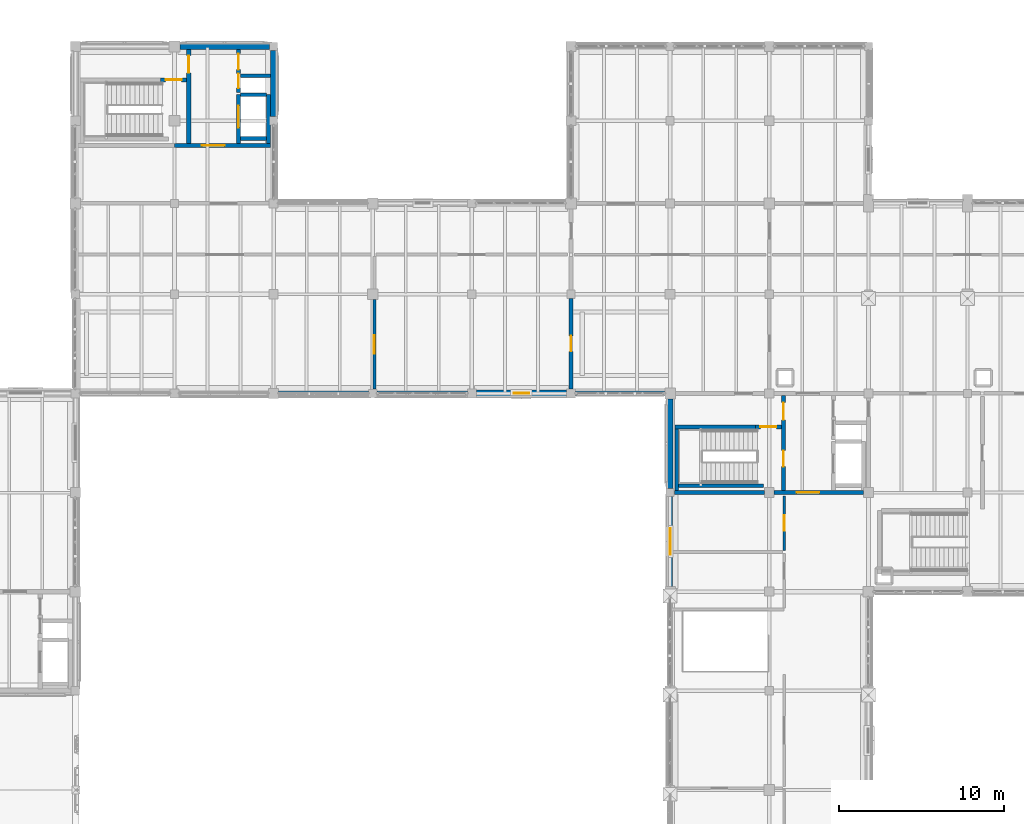
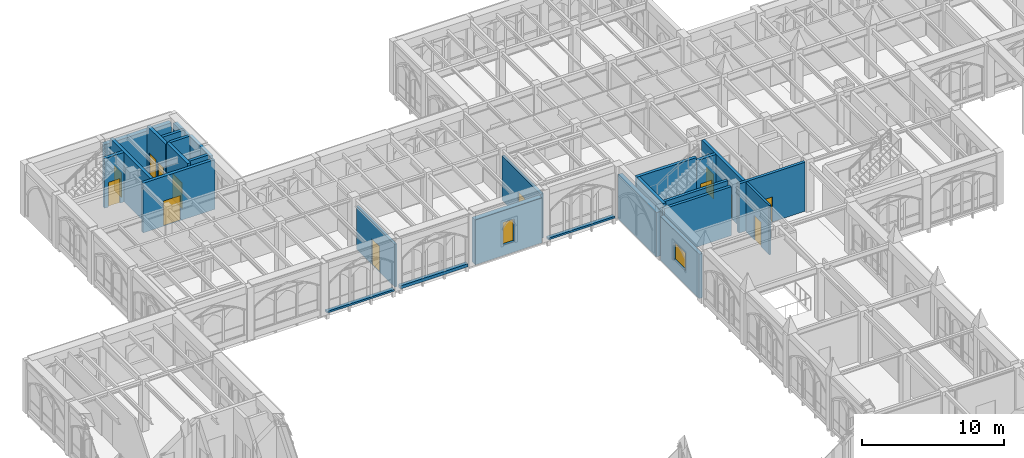
# One storey, part 104 of 143: 27 walls, 13 doors, 2 windows, 15 openings.
"""IFC4 building model written with IfcOpenShell, lengths in metres."""

from ifc_helpers import new_model, si_unit, direction, frame, frame_2d, origin, place, context, subcontext, project, spatial, rectangle, extrude, material, layer, layer_set, type_object, element, fill, save


model = new_model("IFC4")

# Units and contexts
model_context = context("Model", 3, precision=1e-05, world=origin(), true_north=direction((0.0, 1.0)))
body_context = subcontext(model_context, "Body", "Model", "MODEL_VIEW")
ifc_project = project(units=[si_unit("LENGTHUNIT", "METRE"), si_unit("AREAUNIT", "SQUARE_METRE"), si_unit("VOLUMEUNIT", "CUBIC_METRE"), si_unit("PLANEANGLEUNIT", "RADIAN"), si_unit("MASSUNIT", "GRAM", prefix="KILO")], contexts=[model_context])

# Site, building, storey
site_placement = place(None, origin())
site = spatial("IfcSite", under=ifc_project, at=site_placement, CompositionType="ELEMENT")
building_placement = place(site_placement, origin())
building = spatial("IfcBuilding", under=site, at=building_placement, Name="Cumevento Cable Car Station", CompositionType="ELEMENT")
storey_placement = place(building_placement, frame((0.0, 0.0, 9.0)))
storey = spatial("IfcBuildingStorey", under=building, at=storey_placement, Name="L03", CompositionType="ELEMENT", Elevation=9.0)

# Wall, opening, window
ifc_material_1 = material(Name="Gnaisse Facoidal Stone Ashlar 85 MPa", Category="masonry")
ifc_layer_1 = layer(ifc_material_1, 0.280029296875)
ifc_layer_set_1 = layer_set([ifc_layer_1], Name="Gnaisse Facoidal Stone Ashlar 85 MPa")
wall_type_1 = type_object("IfcWallType", Name="Exterior Envelope Wall EW-280 280", PredefinedType="SOLIDWALL", material=ifc_layer_set_1)
wall_1_placement = place(storey_placement, frame((58.0, 33.324951171875, 0.0), z_axis=(0.0, 0.0, 1.0), x_axis=(0.0, 1.0, 0.0)))
wall_1 = element("IfcWall", 1, at=wall_1_placement, inside=storey, type_object=wall_type_1, Name="Exterior Wall EW-280 L03 #209", PredefinedType="SOLIDWALL", context=body_context, shape_type="SweptSolid", body=[
    extrude(rectangle(XDim=5.425048828125, YDim=0.280029296875, at=frame_2d((2.71240234375, 0.0))), origin(), (0.0, 0.0, 1.0), 3.80908203125),
])
opening_1_placement = place(wall_1_placement, frame((1.91259765625, 0.0, 1.25)))
opening_1 = element("IfcOpeningElement", 2, at=opening_1_placement, cuts=wall_1, Name="Opening WN-L03-069", PredefinedType="OPENING", context=body_context, shape_type="SweptSolid", body=[
    extrude(rectangle(XDim=1.60009765625, YDim=1.5, at=frame_2d((0.800048828125, 0.75))), frame((0.0, 0.150146484375, 0.0), z_axis=(0.0, -1.0, 0.0), x_axis=(1.0, 0.0, 0.0)), (0.0, 0.0, 1.0), 0.300048828125),
])
ifc_material_2 = material(Name="Anodised Bronze Aluminium & Laminated Solar Glass", Category="aluminium")
window_type_1 = type_object("IfcWindowType", Name="Lancet Window WN-21 1600x1500", PartitioningType="DOUBLE_PANEL_VERTICAL", PredefinedType="WINDOW", material=ifc_material_2)
window_1_placement = place(opening_1_placement, origin())
window_1 = element("IfcWindow", 3, at=window_1_placement, inside=storey, type_object=window_type_1, Name="Lancet Window WN-L03-069 (WN-21)", OverallHeight=1.5, OverallWidth=1.60009765625, PartitioningType="SINGLE_PANEL", PredefinedType="WINDOW", context=body_context, shape_type="SweptSolid", body=[
    extrude(rectangle(XDim=1.60009765625, YDim=1.5, at=frame_2d((0.800048828125, 0.75))), frame((0.0, 0.030029296875, 0.0), z_axis=(0.0, -1.0, 0.0), x_axis=(1.0, 0.0, 0.0)), (0.0, 0.0, 1.0), 0.06005859375),
])
fill(opening_1, window_1)

# Walls
ifc_material_3 = material(Name="Gnaisse Facoidal Stone Ashlar 85 MPa", Category="masonry")
ifc_layer_2 = layer(ifc_material_3, 0.294921875)
ifc_layer_set_2 = layer_set([ifc_layer_2], Name="Gnaisse Facoidal Stone Ashlar 85 MPa")
wall_type_2 = type_object("IfcWallType", Name="Exterior Envelope Wall EW-295 295", PredefinedType="SOLIDWALL", material=ifc_layer_set_2)
wall_2_placement = place(storey_placement, frame((39.75, 45.0, 0.0), z_axis=(0.0, 0.0, 1.0), x_axis=(-1.0, 0.0, 0.0)))
element("IfcWall", 4, at=wall_2_placement, inside=storey, type_object=wall_type_2, Name="Exterior Sill Curb Wall EW-295 L03 #227", PredefinedType="SOLIDWALL", context=body_context, shape_type="SweptSolid", body=[
    extrude(rectangle(XDim=5.449951171875, YDim=0.294921875, at=frame_2d((2.72509765625, 0.0))), origin(), (0.0, 0.0, 1.0), 0.159912109375),
])
wall_3_placement = place(storey_placement, frame((45.72509765625, 45.0, 0.0), z_axis=(0.0, 0.0, 1.0), x_axis=(-1.0, 0.0, 0.0)))
element("IfcWall", 5, at=wall_3_placement, inside=storey, type_object=wall_type_2, Name="Exterior Sill Curb Wall EW-295 L03 #229", PredefinedType="SOLIDWALL", context=body_context, shape_type="SweptSolid", body=[
    extrude(rectangle(XDim=5.47509765625, YDim=0.294921875, at=frame_2d((2.737548828125, 0.0))), origin(), (0.0, 0.0, 1.0), 0.260009765625),
])
wall_4_placement = place(storey_placement, frame((57.675048828125, 45.0, 0.0), z_axis=(0.0, 0.0, 1.0), x_axis=(-1.0, 0.0, 0.0)))
element("IfcWall", 6, at=wall_4_placement, inside=storey, type_object=wall_type_2, Name="Exterior Sill Curb Wall EW-295 L03 #241", PredefinedType="SOLIDWALL", context=body_context, shape_type="SweptSolid", body=[
    extrude(rectangle(XDim=5.400146484375, YDim=0.294921875, at=frame_2d((2.7001953125, 0.0))), origin(), (0.0, 0.0, 1.0), 0.159912109375),
])
ifc_material_4 = material(Name="Concrete C40/50", Category="concrete")
ifc_layer_3 = layer(ifc_material_4, 0.35498046875)
ifc_layer_set_3 = layer_set([ifc_layer_3], Name="Concrete C40/50")
wall_type_3 = type_object("IfcWallType", Name="Exterior Envelope Wall EW-355 355", PredefinedType="SOLIDWALL", material=ifc_layer_set_3)
wall_5_placement = place(storey_placement, frame((58.0, 39.25, 0.0), z_axis=(0.0, 0.0, 1.0), x_axis=(0.0, 1.0, 0.0)))
element("IfcWall", 7, at=wall_5_placement, inside=storey, type_object=wall_type_3, Name="Exterior Wall EW-355 L03 #210", PredefinedType="SOLIDWALL", context=body_context, shape_type="SweptSolid", body=[
    extrude(rectangle(XDim=5.425048828125, YDim=0.35498046875, at=frame_2d((2.71240234375, 0.0))), origin(), (0.0, 0.0, 1.0), 3.80908203125),
])
wall_6_placement = place(storey_placement, frame((28.324951171875, 66.0, 0.0), z_axis=(0.0, 0.0, 1.0), x_axis=(1.0, 0.0, 0.0)))
element("IfcWall", 8, at=wall_6_placement, inside=storey, type_object=wall_type_3, Name="Exterior Wall EW-355 L03 #236", PredefinedType="SOLIDWALL", context=body_context, shape_type="SweptSolid", body=[
    extrude(rectangle(XDim=5.425048828125, YDim=0.35498046875, at=frame_2d((2.71240234375, 0.0))), origin(), (0.0, 0.0, 1.0), 3.85693359375),
])
wall_7_placement = place(storey_placement, frame((34.0, 65.75, 0.0), z_axis=(0.0, 0.0, 1.0), x_axis=(0.0, -1.0, 0.0)))
element("IfcWall", 9, at=wall_7_placement, inside=storey, type_object=wall_type_3, Name="Exterior Wall EW-355 L03 #240", PredefinedType="SOLIDWALL", context=body_context, shape_type="SweptSolid", body=[
    extrude(rectangle(XDim=4.0, YDim=0.35498046875, at=frame_2d((2.0, 0.0))), origin(), (0.0, 0.0, 1.0), 3.85693359375),
])

# Wall, opening, window
ifc_material_5 = material(Name="Gnaisse Facoidal Stone Ashlar 85 MPa", Category="masonry")
ifc_layer_4 = layer(ifc_material_5, 0.4150390625)
ifc_layer_set_4 = layer_set([ifc_layer_4], Name="Gnaisse Facoidal Stone Ashlar 85 MPa")
wall_type_4 = type_object("IfcWallType", Name="Exterior Envelope Wall EW-415 415", PredefinedType="SOLIDWALL", material=ifc_layer_set_4)
wall_8_placement = place(storey_placement, frame((51.72509765625, 45.0, 0.0), z_axis=(0.0, 0.0, 1.0), x_axis=(-1.0, 0.0, 0.0)))
wall_8 = element("IfcWall", 10, at=wall_8_placement, inside=storey, type_object=wall_type_4, Name="Exterior Wall EW-415 L03 #231", PredefinedType="SOLIDWALL", context=body_context, shape_type="SweptSolid", body=[
    extrude(rectangle(XDim=5.4501953125, YDim=0.4150390625, at=frame_2d((2.72509765625, 0.0))), origin(), (0.0, 0.0, 1.0), 3.868896484375),
])
opening_2_placement = place(wall_8_placement, frame((2.25, 0.0, 0.89990234375)))
opening_2 = element("IfcOpeningElement", 11, at=opening_2_placement, cuts=wall_8, Name="Opening WN-L03-074", PredefinedType="OPENING", context=body_context, shape_type="SweptSolid", body=[
    extrude(rectangle(XDim=0.949951171875, YDim=1.949951171875, at=frame_2d((0.47509765625, 0.97509765625))), frame((0.0, 0.217529296875, 0.0), z_axis=(0.0, -1.0, 0.0), x_axis=(1.0, 0.0, 0.0)), (0.0, 0.0, 1.0), 0.43505859375),
])
ifc_material_6 = material(Name="Anodised Bronze Aluminium & Laminated Solar Glass", Category="aluminium")
window_type_2 = type_object("IfcWindowType", Name="Lancet Window WN-02 950x1950", PartitioningType="SINGLE_PANEL", PredefinedType="WINDOW", material=ifc_material_6)
window_2_placement = place(opening_2_placement, origin())
window_2 = element("IfcWindow", 12, at=window_2_placement, inside=storey, type_object=window_type_2, Name="Lancet Window WN-L03-074 (WN-02)", OverallHeight=1.949951171875, OverallWidth=0.949951171875, PartitioningType="SINGLE_PANEL", PredefinedType="WINDOW", context=body_context, shape_type="SweptSolid", body=[
    extrude(rectangle(XDim=0.949951171875, YDim=1.949951171875, at=frame_2d((0.47509765625, 0.97509765625))), frame((0.0, 0.030029296875, 0.0), z_axis=(0.0, -1.0, 0.0), x_axis=(1.0, 0.0, 0.0)), (0.0, 0.0, 1.0), 0.06005859375),
])
fill(opening_2, window_2)

# Wall, opening, door
ifc_material_7 = material(Name="Concrete C40/50", Category="concrete")
ifc_layer_5 = layer(ifc_material_7, 0.219970703125)
ifc_layer_set_5 = layer_set([ifc_layer_5], Name="Concrete C40/50")
wall_type_5 = type_object("IfcWallType", Name="Interior Partition FW-220 220", PredefinedType="SOLIDWALL", material=ifc_layer_set_5)
wall_9_placement = place(storey_placement, frame((52.0, 45.277099609375, 0.0), z_axis=(0.0, 0.0, 1.0), x_axis=(0.0, 1.0, 0.0)))
wall_9 = element("IfcWall", 13, at=wall_9_placement, inside=storey, type_object=wall_type_5, Name="Interior Wall FW-220 L03 #654", PredefinedType="SOLIDWALL", context=body_context, shape_type="SweptSolid", body=[
    extrude(rectangle(XDim=5.470947265625, YDim=0.219970703125, at=frame_2d((2.7353515625, 0.0))), origin(), (0.0, 0.0, 1.0), 3.819091796875),
])
opening_3_placement = place(wall_9_placement, frame((2.265380859375, 0.0, 0.0)))
opening_3 = element("IfcOpeningElement", 14, at=opening_3_placement, cuts=wall_9, Name="Opening DR-L03-250", PredefinedType="OPENING", context=body_context, shape_type="SweptSolid", body=[
    extrude(rectangle(XDim=0.93994140625, YDim=2.10009765625, at=frame_2d((0.469970703125, 1.050048828125))), frame((0.0, 0.119873046875, 0.0), z_axis=(0.0, -1.0, 0.0), x_axis=(1.0, 0.0, 0.0)), (0.0, 0.0, 1.0), 0.239990234375),
])
ifc_material_8 = material(Name="Galvanised Painted Steel Fire Door", Category="steel")
door_type_1 = type_object("IfcDoorType", Name="Interior Door FD-08 940x2100", OperationType="NOTDEFINED", PredefinedType="DOOR", material=ifc_material_8)
door_1_placement = place(opening_3_placement, origin())
door_1 = element("IfcDoor", 15, at=door_1_placement, inside=storey, type_object=door_type_1, Name="Interior Door DR-L03-250 (FD-08)", OperationType="SINGLE_SWING_LEFT", OverallHeight=2.10009765625, OverallWidth=0.93994140625, PredefinedType="DOOR", context=body_context, shape_type="SweptSolid", body=[
    extrude(rectangle(XDim=0.93994140625, YDim=2.10009765625, at=frame_2d((0.469970703125, 1.050048828125))), frame((0.0, 0.02490234375, 0.0), z_axis=(0.0, -1.0, 0.0), x_axis=(1.0, 0.0, 0.0)), (0.0, 0.0, 1.0), 0.050048828125),
])
fill(opening_3, door_1)

ifc_material_9 = material(Name="Gypsum Board & Insulated Stud Partition", Category="gypsum")
ifc_layer_6 = layer(ifc_material_9, 0.1650390625)
ifc_layer_set_6 = layer_set([ifc_layer_6], Name="Gypsum Board & Insulated Stud Partition")
wall_type_6 = type_object("IfcWallType", Name="Interior Partition PT-165 165", PredefinedType="PARTITIONING", material=ifc_layer_set_6)
wall_10_placement = place(storey_placement, frame((64.89990234375, 35.5, 0.0), z_axis=(0.0, 0.0, 1.0), x_axis=(0.0, 1.0, 0.0)))
wall_10 = element("IfcWall", 16, at=wall_10_placement, inside=storey, type_object=wall_type_6, Name="Interior Wall PT-165 L03 #641", PredefinedType="PARTITIONING", context=body_context, shape_type="SweptSolid", body=[
    extrude(rectangle(XDim=3.300048828125, YDim=0.1650390625, at=frame_2d((1.64990234375, 0.0))), origin(), (0.0, 0.0, 1.0), 4.239990234375),
])
opening_4_placement = place(wall_10_placement, frame((1.179931640625, 0.0, 0.0)))
opening_4 = element("IfcOpeningElement", 17, at=opening_4_placement, cuts=wall_10, Name="Opening DR-L03-241", PredefinedType="OPENING", context=body_context, shape_type="SweptSolid", body=[
    extrude(rectangle(XDim=0.93994140625, YDim=2.10009765625, at=frame_2d((0.469970703125, 1.050048828125))), frame((0.0, 0.092529296875, 0.0), z_axis=(0.0, -1.0, 0.0), x_axis=(1.0, 0.0, 0.0)), (0.0, 0.0, 1.0), 0.18505859375),
])
door_2_placement = place(opening_4_placement, origin())
door_2 = element("IfcDoor", 18, at=door_2_placement, inside=storey, type_object=door_type_1, Name="Interior Door DR-L03-241 (FD-08)", OperationType="SINGLE_SWING_LEFT", OverallHeight=2.10009765625, OverallWidth=0.93994140625, PredefinedType="DOOR", context=body_context, shape_type="SweptSolid", body=[
    extrude(rectangle(XDim=0.93994140625, YDim=2.10009765625, at=frame_2d((0.469970703125, 1.050048828125))), frame((0.0, 0.02490234375, 0.0), z_axis=(0.0, -1.0, 0.0), x_axis=(1.0, 0.0, 0.0)), (0.0, 0.0, 1.0), 0.050048828125),
])
fill(opening_4, door_2)

ifc_material_10 = material(Name="Moisture-Resistant Tile & Stud Partition", Category="gypsum")
ifc_layer_7 = layer(ifc_material_10, 0.175048828125)
ifc_layer_set_7 = layer_set([ifc_layer_7], Name="Moisture-Resistant Tile & Stud Partition")
wall_type_7 = type_object("IfcWallType", Name="Interior Partition PT-175 175", PredefinedType="PARTITIONING", material=ifc_layer_set_7)
wall_11_placement = place(storey_placement, frame((40.10009765625, 45.251953125, 0.0), z_axis=(0.0, 0.0, 1.0), x_axis=(0.0, 1.0, 0.0)))
wall_11 = element("IfcWall", 19, at=wall_11_placement, inside=storey, type_object=wall_type_7, Name="Interior Wall PT-175 L03 #650", PredefinedType="PARTITIONING", context=body_context, shape_type="SweptSolid", body=[
    extrude(rectangle(XDim=5.421142578125, YDim=0.175048828125, at=frame_2d((2.71044921875, 0.0))), origin(), (0.0, 0.0, 1.0), 3.69189453125),
])
opening_5_placement = place(wall_11_placement, frame((2.160400390625, 0.0, 0.0)))
opening_5 = element("IfcOpeningElement", 20, at=opening_5_placement, cuts=wall_11, Name="Opening DR-L03-247", PredefinedType="OPENING", context=body_context, shape_type="SweptSolid", body=[
    extrude(rectangle(XDim=1.10009765625, YDim=2.199951171875, at=frame_2d((0.550048828125, 1.10009765625))), frame((0.0, 0.097412109375, 0.0), z_axis=(0.0, -1.0, 0.0), x_axis=(1.0, 0.0, 0.0)), (0.0, 0.0, 1.0), 0.195068359375),
])
ifc_material_11 = material(Name="Hardwood Ipe Timber Door Leaf", Category="wood")
door_type_2 = type_object("IfcDoorType", Name="Interior Door ID-07 1100x2200", OperationType="NOTDEFINED", PredefinedType="DOOR", material=ifc_material_11)
door_3_placement = place(opening_5_placement, origin())
door_3 = element("IfcDoor", 21, at=door_3_placement, inside=storey, type_object=door_type_2, Name="Interior Door DR-L03-247 (ID-07)", OperationType="SINGLE_SWING_RIGHT", OverallHeight=2.199951171875, OverallWidth=1.10009765625, PredefinedType="DOOR", context=body_context, shape_type="SweptSolid", body=[
    extrude(rectangle(XDim=1.10009765625, YDim=2.199951171875, at=frame_2d((0.550048828125, 1.10009765625))), frame((0.0, 0.02490234375, 0.0), z_axis=(0.0, -1.0, 0.0), x_axis=(1.0, 0.0, 0.0)), (0.0, 0.0, 1.0), 0.050048828125),
])
fill(opening_5, door_3)

# Wall
ifc_material_12 = material(Name="Concrete C40/50", Category="concrete")
ifc_layer_8 = layer(ifc_material_12, 0.22998046875)
ifc_layer_set_8 = layer_set([ifc_layer_8], Name="Concrete C40/50")
wall_type_8 = type_object("IfcWallType", Name="Interior Shear Wall CW-230 230", PredefinedType="SHEAR", material=ifc_layer_set_8)
wall_12_placement = place(storey_placement, frame((58.25, 39.0, 0.0), z_axis=(0.0, 0.0, 1.0), x_axis=(1.0, 0.0, 0.0)))
element("IfcWall", 22, at=wall_12_placement, inside=storey, type_object=wall_type_8, Name="Interior Wall CW-230 L03 #169", PredefinedType="SHEAR", context=body_context, shape_type="SweptSolid", body=[
    extrude(rectangle(XDim=5.449951171875, YDim=0.22998046875, at=frame_2d((2.72509765625, 0.0))), origin(), (0.0, 0.0, 1.0), 4.216064453125),
])

# Wall, opening, door
wall_13_placement = place(storey_placement, frame((64.300048828125, 39.0, 0.0), z_axis=(0.0, 0.0, 1.0), x_axis=(1.0, 0.0, 0.0)))
wall_13 = element("IfcWall", 23, at=wall_13_placement, inside=storey, type_object=wall_type_8, Name="Interior Wall CW-230 L03 #170", PredefinedType="SHEAR", context=body_context, shape_type="SweptSolid", body=[
    extrude(rectangle(XDim=5.39990234375, YDim=0.22998046875, at=frame_2d((2.699951171875, 0.0))), origin(), (0.0, 0.0, 1.0), 4.216064453125),
])
opening_6_placement = place(wall_13_placement, frame((1.360107421875, 0.0, 0.0)))
opening_6 = element("IfcOpeningElement", 24, at=opening_6_placement, cuts=wall_13, Name="Opening DR-L03-017", PredefinedType="OPENING", context=body_context, shape_type="SweptSolid", body=[
    extrude(rectangle(XDim=1.3798828125, YDim=2.159912109375, at=frame_2d((0.68994140625, 1.080078125))), frame((0.0, 0.125, 0.0), z_axis=(0.0, -1.0, 0.0), x_axis=(1.0, 0.0, 0.0)), (0.0, 0.0, 1.0), 0.25),
])
ifc_material_13 = material(Name="Galvanised Painted Steel Fire Door", Category="steel")
door_type_3 = type_object("IfcDoorType", Name="Interior Door FD-04 1380x2160", OperationType="NOTDEFINED", PredefinedType="DOOR", material=ifc_material_13)
door_4_placement = place(opening_6_placement, origin())
door_4 = element("IfcDoor", 25, at=door_4_placement, inside=storey, type_object=door_type_3, Name="Core CORE1 S_lobby Fire Door L03", OperationType="DOUBLE_DOOR_SINGLE_SWING", OverallHeight=2.159912109375, OverallWidth=1.3798828125, PredefinedType="DOOR", context=body_context, shape_type="SweptSolid", body=[
    extrude(rectangle(XDim=1.3798828125, YDim=2.159912109375, at=frame_2d((0.68994140625, 1.080078125))), frame((0.0, 0.02490234375, 0.0), z_axis=(0.0, -1.0, 0.0), x_axis=(1.0, 0.0, 0.0)), (0.0, 0.0, 1.0), 0.050048828125),
])
fill(opening_6, door_4)

# Walls
wall_14_placement = place(storey_placement, frame((58.405029296875, 39.114990234375, 0.0), z_axis=(0.0, 0.0, 1.0), x_axis=(0.0, 1.0, 0.0)))
element("IfcWall", 26, at=wall_14_placement, inside=storey, type_object=wall_type_8, Name="Interior Wall CW-230 L03 #174", PredefinedType="SHEAR", context=body_context, shape_type="SweptSolid", body=[
    extrude(rectangle(XDim=3.735107421875, YDim=0.22998046875, at=frame_2d((1.86767578125, 0.0))), origin(), (0.0, 0.0, 1.0), 4.5),
])
wall_15_placement = place(storey_placement, frame((58.52001953125, 39.405029296875, 0.0), z_axis=(0.0, 0.0, 1.0), x_axis=(1.0, 0.0, 0.0)))
element("IfcWall", 27, at=wall_15_placement, inside=storey, type_object=wall_type_8, Name="Interior Wall CW-230 L03 #175", PredefinedType="SHEAR", context=body_context, shape_type="SweptSolid", body=[
    extrude(rectangle(XDim=5.1298828125, YDim=0.22998046875, at=frame_2d((2.56494140625, 0.0))), origin(), (0.0, 0.0, 1.0), 4.5),
])
wall_16_placement = place(storey_placement, frame((32.0048828125, 60.419921875, 0.0), z_axis=(0.0, 0.0, 1.0), x_axis=(1.0, 0.0, 0.0)))
element("IfcWall", 28, at=wall_16_placement, inside=storey, type_object=wall_type_8, Name="Interior Wall CW-230 L03 #380", PredefinedType="SHEAR", context=body_context, shape_type="SweptSolid", body=[
    extrude(rectangle(XDim=1.580078125, YDim=0.22998046875, at=frame_2d((0.7900390625, 0.0))), origin(), (0.0, 0.0, 1.0), 4.5),
])
wall_17_placement = place(storey_placement, frame((33.699951171875, 60.114990234375, 0.0), z_axis=(0.0, 0.0, 1.0), x_axis=(0.0, 1.0, 0.0)))
element("IfcWall", 29, at=wall_17_placement, inside=storey, type_object=wall_type_8, Name="Interior Wall CW-230 L03 #381", PredefinedType="SHEAR", context=body_context, shape_type="SweptSolid", body=[
    extrude(rectangle(XDim=2.965087890625, YDim=0.22998046875, at=frame_2d((1.482421875, 0.0))), origin(), (0.0, 0.0, 1.0), 4.5),
])
wall_18_placement = place(storey_placement, frame((32.0048828125, 63.080078125, 0.0), z_axis=(0.0, 0.0, 1.0), x_axis=(1.0, 0.0, 0.0)))
element("IfcWall", 30, at=wall_18_placement, inside=storey, type_object=wall_type_8, Name="Interior Wall CW-230 L03 #382", PredefinedType="SHEAR", context=body_context, shape_type="SweptSolid", body=[
    extrude(rectangle(XDim=1.580078125, YDim=0.22998046875, at=frame_2d((0.7900390625, 0.0))), origin(), (0.0, 0.0, 1.0), 4.5),
])
wall_19_placement = place(storey_placement, frame((32.0048828125, 64.219970703125, 0.0), z_axis=(0.0, 0.0, 1.0), x_axis=(1.0, 0.0, 0.0)))
element("IfcWall", 31, at=wall_19_placement, inside=storey, type_object=wall_type_8, Name="Interior Wall CW-230 L03 #384", PredefinedType="SHEAR", context=body_context, shape_type="SweptSolid", body=[
    extrude(rectangle(XDim=1.820068359375, YDim=0.22998046875, at=frame_2d((0.91015625, 0.0))), origin(), (0.0, 0.0, 1.0), 4.263916015625),
])
ifc_material_14 = material(Name="Concrete C40/50", Category="concrete")
ifc_layer_9 = layer(ifc_material_14, 0.25)
ifc_layer_set_9 = layer_set([ifc_layer_9], Name="Concrete C40/50")
wall_type_9 = type_object("IfcWallType", Name="Interior Shear Wall CW-250 250", PredefinedType="SHEAR", material=ifc_layer_set_9)
wall_20_placement = place(storey_placement, frame((58.2900390625, 42.97509765625, 0.0), z_axis=(0.0, 0.0, 1.0), x_axis=(1.0, 0.0, 0.0)))
element("IfcWall", 32, at=wall_20_placement, inside=storey, type_object=wall_type_9, Name="Interior Wall CW-250 L03 #176", PredefinedType="SHEAR", context=body_context, shape_type="SweptSolid", body=[
    extrude(rectangle(XDim=4.869873046875, YDim=0.25, at=frame_2d((2.43505859375, 0.0))), origin(), (0.0, 0.0, 1.0), 4.5),
])

# Wall, opening, door
wall_21_placement = place(storey_placement, frame((63.159912109375, 42.97509765625, 0.0), z_axis=(0.0, 0.0, 1.0), x_axis=(1.0, 0.0, 0.0)))
wall_21 = element("IfcWall", 33, at=wall_21_placement, inside=storey, type_object=wall_type_9, Name="Interior Wall CW-250 L03 #177", PredefinedType="SHEAR", context=body_context, shape_type="SweptSolid", body=[
    extrude(rectangle(XDim=1.580078125, YDim=0.25, at=frame_2d((0.7900390625, 0.0))), origin(), (0.0, 0.0, 1.0), 4.216064453125),
])
opening_7_placement = place(wall_21_placement, frame((0.31005859375, 0.0, 0.0)))
opening_7 = element("IfcOpeningElement", 34, at=opening_7_placement, cuts=wall_21, Name="Opening DR-L03-021", PredefinedType="OPENING", context=body_context, shape_type="SweptSolid", body=[
    extrude(rectangle(XDim=0.9599609375, YDim=2.1201171875, at=frame_2d((0.47998046875, 1.06005859375))), frame((0.0, 0.135009765625, 0.0), z_axis=(0.0, -1.0, 0.0), x_axis=(1.0, 0.0, 0.0)), (0.0, 0.0, 1.0), 0.27001953125),
])
ifc_material_15 = material(Name="Galvanised Painted Steel Fire Door", Category="steel")
door_type_4 = type_object("IfcDoorType", Name="Interior Door FD-01 960x2120", OperationType="NOTDEFINED", PredefinedType="DOOR", material=ifc_material_15)
door_5_placement = place(opening_7_placement, origin())
door_5 = element("IfcDoor", 35, at=door_5_placement, inside=storey, type_object=door_type_4, Name="Stair ST-01 Enclosure Door L03", OperationType="SINGLE_SWING_RIGHT", OverallHeight=2.1201171875, OverallWidth=0.9599609375, PredefinedType="DOOR", context=body_context, shape_type="SweptSolid", body=[
    extrude(rectangle(XDim=0.9599609375, YDim=2.1201171875, at=frame_2d((0.47998046875, 1.06005859375))), frame((0.0, 0.02490234375, 0.0), z_axis=(0.0, -1.0, 0.0), x_axis=(1.0, 0.0, 0.0)), (0.0, 0.0, 1.0), 0.050048828125),
])
fill(opening_7, door_5)

# Wall, openings, doors
wall_22_placement = place(storey_placement, frame((64.864990234375, 39.114990234375, 0.0), z_axis=(0.0, 0.0, 1.0), x_axis=(0.0, 1.0, 0.0)))
wall_22 = element("IfcWall", 36, at=wall_22_placement, inside=storey, type_object=wall_type_9, Name="Interior Wall CW-250 L03 #178", PredefinedType="SHEAR", context=body_context, shape_type="SweptSolid", body=[
    extrude(rectangle(XDim=5.77001953125, YDim=0.25, at=frame_2d((2.885009765625, 0.0))), origin(), (0.0, 0.0, 1.0), 4.216064453125),
])
opening_8_placement = place(wall_22_placement, frame((4.284912109375, 0.0, 0.0)))
opening_8 = element("IfcOpeningElement", 37, at=opening_8_placement, cuts=wall_22, Name="Opening DR-L03-022", PredefinedType="OPENING", context=body_context, shape_type="SweptSolid", body=[
    extrude(rectangle(XDim=1.0400390625, YDim=2.139892578125, at=frame_2d((0.52001953125, 1.06982421875))), frame((0.0, 0.135009765625, 0.0), z_axis=(0.0, -1.0, 0.0), x_axis=(1.0, 0.0, 0.0)), (0.0, 0.0, 1.0), 0.27001953125),
])
opening_9_placement = place(wall_22_placement, frame((1.455078125, 0.0, 0.0)))
opening_9 = element("IfcOpeningElement", 38, at=opening_9_placement, cuts=wall_22, Name="Opening DR-L03-023", PredefinedType="OPENING", context=body_context, shape_type="SweptSolid", body=[
    extrude(rectangle(XDim=0.9599609375, YDim=2.1201171875, at=frame_2d((0.47998046875, 1.06005859375))), frame((0.0, 0.135009765625, 0.0), z_axis=(0.0, -1.0, 0.0), x_axis=(1.0, 0.0, 0.0)), (0.0, 0.0, 1.0), 0.27001953125),
])
door_6_placement = place(opening_9_placement, origin())
door_6 = element("IfcDoor", 39, at=door_6_placement, inside=storey, type_object=door_type_4, Name="Firefighting Lobby Direct Stair Door L03", OperationType="SINGLE_SWING_RIGHT", OverallHeight=2.1201171875, OverallWidth=0.9599609375, PredefinedType="DOOR", context=body_context, shape_type="SweptSolid", body=[
    extrude(rectangle(XDim=0.9599609375, YDim=2.1201171875, at=frame_2d((0.47998046875, 1.06005859375))), frame((0.0, 0.02490234375, 0.0), z_axis=(0.0, -1.0, 0.0), x_axis=(1.0, 0.0, 0.0)), (0.0, 0.0, 1.0), 0.050048828125),
])
fill(opening_9, door_6)
ifc_material_16 = material(Name="Galvanised Painted Steel Fire Door", Category="steel")
door_type_5 = type_object("IfcDoorType", Name="Interior Door FD-02 1040x2140", OperationType="NOTDEFINED", PredefinedType="DOOR", material=ifc_material_16)
door_7_placement = place(opening_8_placement, origin())
door_7 = element("IfcDoor", 40, at=door_7_placement, inside=storey, type_object=door_type_5, Name="Lobby Vestibule Door CORE1 L03", OperationType="SINGLE_SWING_LEFT", OverallHeight=2.139892578125, OverallWidth=1.0400390625, PredefinedType="DOOR", context=body_context, shape_type="SweptSolid", body=[
    extrude(rectangle(XDim=1.0400390625, YDim=2.139892578125, at=frame_2d((0.52001953125, 1.06982421875))), frame((0.0, 0.02490234375, 0.0), z_axis=(0.0, -1.0, 0.0), x_axis=(1.0, 0.0, 0.0)), (0.0, 0.0, 1.0), 0.050048828125),
])
fill(opening_8, door_7)

# Wall, opening, door
wall_23_placement = place(storey_placement, frame((28.0, 60.0, 0.0), z_axis=(0.0, 0.0, 1.0), x_axis=(1.0, 0.0, 0.0)))
wall_23 = element("IfcWall", 41, at=wall_23_placement, inside=storey, type_object=wall_type_9, Name="Interior Wall CW-250 L03 #373", PredefinedType="SHEAR", context=body_context, shape_type="SweptSolid", body=[
    extrude(rectangle(XDim=5.824951171875, YDim=0.25, at=frame_2d((2.91259765625, 0.0))), origin(), (0.0, 0.0, 1.0), 4.263916015625),
])
opening_10_placement = place(wall_23_placement, frame((1.659912109375, 0.0, 0.0)))
opening_10 = element("IfcOpeningElement", 42, at=opening_10_placement, cuts=wall_23, Name="Opening DR-L03-112", PredefinedType="OPENING", context=body_context, shape_type="SweptSolid", body=[
    extrude(rectangle(XDim=1.3798828125, YDim=2.159912109375, at=frame_2d((0.68994140625, 1.080078125))), frame((0.0, 0.135009765625, 0.0), z_axis=(0.0, -1.0, 0.0), x_axis=(1.0, 0.0, 0.0)), (0.0, 0.0, 1.0), 0.27001953125),
])
door_8_placement = place(opening_10_placement, origin())
door_8 = element("IfcDoor", 43, at=door_8_placement, inside=storey, type_object=door_type_3, Name="Core CORE4 S_lobby Fire Door L03", OperationType="DOUBLE_DOOR_SINGLE_SWING", OverallHeight=2.159912109375, OverallWidth=1.3798828125, PredefinedType="DOOR", context=body_context, shape_type="SweptSolid", body=[
    extrude(rectangle(XDim=1.3798828125, YDim=2.159912109375, at=frame_2d((0.68994140625, 1.080078125))), frame((0.0, 0.02490234375, 0.0), z_axis=(0.0, -1.0, 0.0), x_axis=(1.0, 0.0, 0.0)), (0.0, 0.0, 1.0), 0.050048828125),
])
fill(opening_10, door_8)

wall_24_placement = place(storey_placement, frame((27.159912109375, 63.97509765625, 0.0), z_axis=(0.0, 0.0, 1.0), x_axis=(1.0, 0.0, 0.0)))
wall_24 = element("IfcWall", 44, at=wall_24_placement, inside=storey, type_object=wall_type_9, Name="Interior Wall CW-250 L03 #377", PredefinedType="SHEAR", context=body_context, shape_type="SweptSolid", body=[
    extrude(rectangle(XDim=1.580078125, YDim=0.25, at=frame_2d((0.7900390625, 0.0))), origin(), (0.0, 0.0, 1.0), 4.263916015625),
])
opening_11_placement = place(wall_24_placement, frame((0.31005859375, 0.0, 0.0)))
opening_11 = element("IfcOpeningElement", 45, at=opening_11_placement, cuts=wall_24, Name="Opening DR-L03-113", PredefinedType="OPENING", context=body_context, shape_type="SweptSolid", body=[
    extrude(rectangle(XDim=0.9599609375, YDim=2.1201171875, at=frame_2d((0.47998046875, 1.06005859375))), frame((0.0, 0.135009765625, 0.0), z_axis=(0.0, -1.0, 0.0), x_axis=(1.0, 0.0, 0.0)), (0.0, 0.0, 1.0), 0.27001953125),
])
door_9_placement = place(opening_11_placement, origin())
door_9 = element("IfcDoor", 46, at=door_9_placement, inside=storey, type_object=door_type_4, Name="Stair ST-04 Enclosure Door L03", OperationType="SINGLE_SWING_RIGHT", OverallHeight=2.1201171875, OverallWidth=0.9599609375, PredefinedType="DOOR", context=body_context, shape_type="SweptSolid", body=[
    extrude(rectangle(XDim=0.9599609375, YDim=2.1201171875, at=frame_2d((0.47998046875, 1.06005859375))), frame((0.0, 0.02490234375, 0.0), z_axis=(0.0, -1.0, 0.0), x_axis=(1.0, 0.0, 0.0)), (0.0, 0.0, 1.0), 0.050048828125),
])
fill(opening_11, door_9)

wall_25_placement = place(storey_placement, frame((28.864990234375, 60.125, 0.0), z_axis=(0.0, 0.0, 1.0), x_axis=(0.0, 1.0, 0.0)))
wall_25 = element("IfcWall", 47, at=wall_25_placement, inside=storey, type_object=wall_type_9, Name="Interior Wall CW-250 L03 #378", PredefinedType="SHEAR", context=body_context, shape_type="SweptSolid", body=[
    extrude(rectangle(XDim=5.699951171875, YDim=0.25, at=frame_2d((2.85009765625, 0.0))), origin(), (0.0, 0.0, 1.0), 4.263916015625),
])
opening_12_placement = place(wall_25_placement, frame((4.27490234375, 0.0, 0.0)))
opening_12 = element("IfcOpeningElement", 48, at=opening_12_placement, cuts=wall_25, Name="Opening DR-L03-114", PredefinedType="OPENING", context=body_context, shape_type="SweptSolid", body=[
    extrude(rectangle(XDim=1.0400390625, YDim=2.139892578125, at=frame_2d((0.52001953125, 1.06982421875))), frame((0.0, 0.135009765625, 0.0), z_axis=(0.0, -1.0, 0.0), x_axis=(1.0, 0.0, 0.0)), (0.0, 0.0, 1.0), 0.27001953125),
])
door_10_placement = place(opening_12_placement, origin())
door_10 = element("IfcDoor", 49, at=door_10_placement, inside=storey, type_object=door_type_5, Name="Lobby Vestibule Door CORE4 L03", OperationType="SINGLE_SWING_LEFT", OverallHeight=2.139892578125, OverallWidth=1.0400390625, PredefinedType="DOOR", context=body_context, shape_type="SweptSolid", body=[
    extrude(rectangle(XDim=1.0400390625, YDim=2.139892578125, at=frame_2d((0.52001953125, 1.06982421875))), frame((0.0, 0.02490234375, 0.0), z_axis=(0.0, -1.0, 0.0), x_axis=(1.0, 0.0, 0.0)), (0.0, 0.0, 1.0), 0.050048828125),
])
fill(opening_12, door_10)

wall_26_placement = place(storey_placement, frame((31.8798828125, 60.114990234375, 0.0), z_axis=(0.0, 0.0, 1.0), x_axis=(0.0, 1.0, 0.0)))
wall_26 = element("IfcWall", 50, at=wall_26_placement, inside=storey, type_object=wall_type_9, Name="Interior Wall CW-250 L03 #379", PredefinedType="SHEAR", context=body_context, shape_type="SweptSolid", body=[
    extrude(rectangle(XDim=2.965087890625, YDim=0.25, at=frame_2d((1.482421875, 0.0))), origin(), (0.0, 0.0, 1.0), 4.5),
])
opening_13_placement = place(wall_26_placement, frame((0.97509765625, 0.0, 0.0)))
opening_13 = element("IfcOpeningElement", 51, at=opening_13_placement, cuts=wall_26, Name="Opening LD-LF04-L03", PredefinedType="OPENING", context=body_context, shape_type="SweptSolid", body=[
    extrude(rectangle(XDim=1.320068359375, YDim=2.199951171875, at=frame_2d((0.66015625, 1.10009765625))), frame((0.0, 0.135009765625, 0.0), z_axis=(0.0, -1.0, 0.0), x_axis=(1.0, 0.0, 0.0)), (0.0, 0.0, 1.0), 0.27001953125),
])
ifc_material_17 = material(Name="Brushed Stainless Steel Lift Door", Category="steel")
door_type_6 = type_object("IfcDoorType", Name="Interior Door LD-04 1320x2200", OperationType="NOTDEFINED", PredefinedType="DOOR", material=ifc_material_17)
door_11_placement = place(opening_13_placement, origin())
door_11 = element("IfcDoor", 52, at=door_11_placement, inside=storey, type_object=door_type_6, Name="Lift Landing Door LD-LF04-L03", OperationType="DOUBLE_DOOR_SLIDING", OverallHeight=2.199951171875, OverallWidth=1.320068359375, PredefinedType="DOOR", context=body_context, shape_type="SweptSolid", body=[
    extrude(rectangle(XDim=1.320068359375, YDim=2.199951171875, at=frame_2d((0.66015625, 1.10009765625))), frame((0.0, 0.02490234375, 0.0), z_axis=(0.0, -1.0, 0.0), x_axis=(1.0, 0.0, 0.0)), (0.0, 0.0, 1.0), 0.050048828125),
])
fill(opening_13, door_11)

# Wall, openings, doors
wall_27_placement = place(storey_placement, frame((31.8798828125, 63.199951171875, 0.0), z_axis=(0.0, 0.0, 1.0), x_axis=(0.0, 1.0, 0.0)))
wall_27 = element("IfcWall", 53, at=wall_27_placement, inside=storey, type_object=wall_type_9, Name="Interior Wall CW-250 L03 #383", PredefinedType="SHEAR", context=body_context, shape_type="SweptSolid", body=[
    extrude(rectangle(XDim=2.625, YDim=0.25, at=frame_2d((1.3125, 0.0))), origin(), (0.0, 0.0, 1.0), 4.263916015625),
])
opening_14_placement = place(wall_27_placement, frame((0.280029296875, 0.0, 0.0)))
opening_14 = element("IfcOpeningElement", 54, at=opening_14_placement, cuts=wall_27, Name="Opening DR-L03-116", PredefinedType="OPENING", context=body_context, shape_type="SweptSolid", body=[
    extrude(rectangle(XDim=0.8798828125, YDim=2.080078125, at=frame_2d((0.43994140625, 1.0400390625))), frame((0.0, 0.135009765625, 0.0), z_axis=(0.0, -1.0, 0.0), x_axis=(1.0, 0.0, 0.0)), (0.0, 0.0, 1.0), 0.27001953125),
])
opening_15_placement = place(wall_27_placement, frame((1.39990234375, 0.0, 0.0)))
opening_15 = element("IfcOpeningElement", 55, at=opening_15_placement, cuts=wall_27, Name="Opening DR-L03-117", PredefinedType="OPENING", context=body_context, shape_type="SweptSolid", body=[
    extrude(rectangle(XDim=0.9599609375, YDim=2.1201171875, at=frame_2d((0.47998046875, 1.06005859375))), frame((0.0, 0.135009765625, 0.0), z_axis=(0.0, -1.0, 0.0), x_axis=(1.0, 0.0, 0.0)), (0.0, 0.0, 1.0), 0.27001953125),
])
door_12_placement = place(opening_15_placement, origin())
door_12 = element("IfcDoor", 56, at=door_12_placement, inside=storey, type_object=door_type_4, Name="East Vestibule Lobby Door CORE4 L03", OperationType="SINGLE_SWING_LEFT", OverallHeight=2.1201171875, OverallWidth=0.9599609375, PredefinedType="DOOR", context=body_context, shape_type="SweptSolid", body=[
    extrude(rectangle(XDim=0.9599609375, YDim=2.1201171875, at=frame_2d((0.47998046875, 1.06005859375))), frame((0.0, 0.02490234375, 0.0), z_axis=(0.0, -1.0, 0.0), x_axis=(1.0, 0.0, 0.0)), (0.0, 0.0, 1.0), 0.050048828125),
])
fill(opening_15, door_12)
ifc_material_18 = material(Name="Galvanised Painted Steel Fire Door", Category="steel")
door_type_7 = type_object("IfcDoorType", Name="Interior Door FD-07 880x2080", OperationType="NOTDEFINED", PredefinedType="DOOR", material=ifc_material_18)
door_13_placement = place(opening_14_placement, origin())
door_13 = element("IfcDoor", 57, at=door_13_placement, inside=storey, type_object=door_type_7, Name="MEP Riser Access Door CORE4 L03", OperationType="SINGLE_SWING_RIGHT", OverallHeight=2.080078125, OverallWidth=0.8798828125, PredefinedType="DOOR", context=body_context, shape_type="SweptSolid", body=[
    extrude(rectangle(XDim=0.8798828125, YDim=2.080078125, at=frame_2d((0.43994140625, 1.0400390625))), frame((0.0, 0.02490234375, 0.0), z_axis=(0.0, -1.0, 0.0), x_axis=(1.0, 0.0, 0.0)), (0.0, 0.0, 1.0), 0.050048828125),
])
fill(opening_14, door_13)

save(model, "model.ifc")
